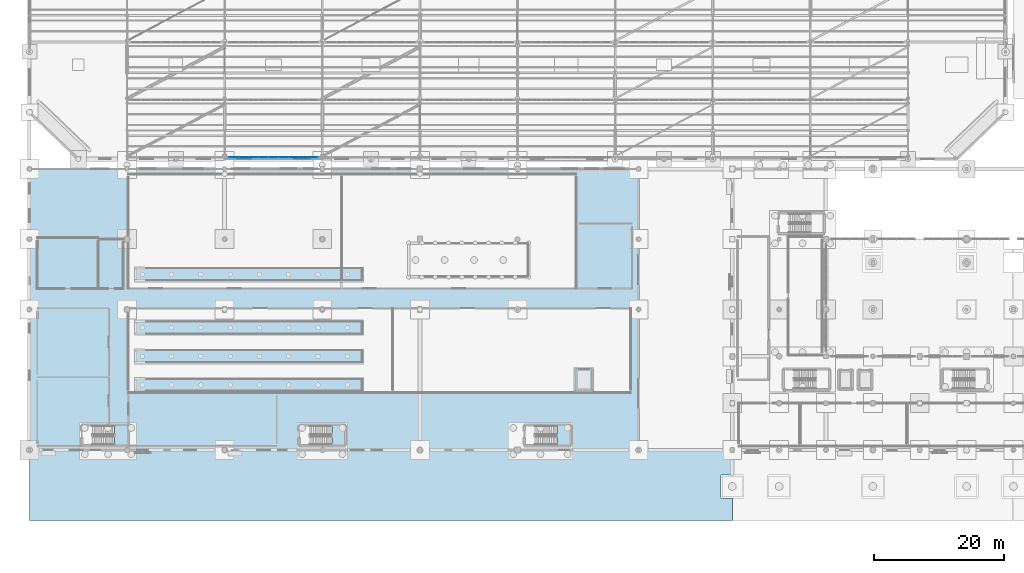
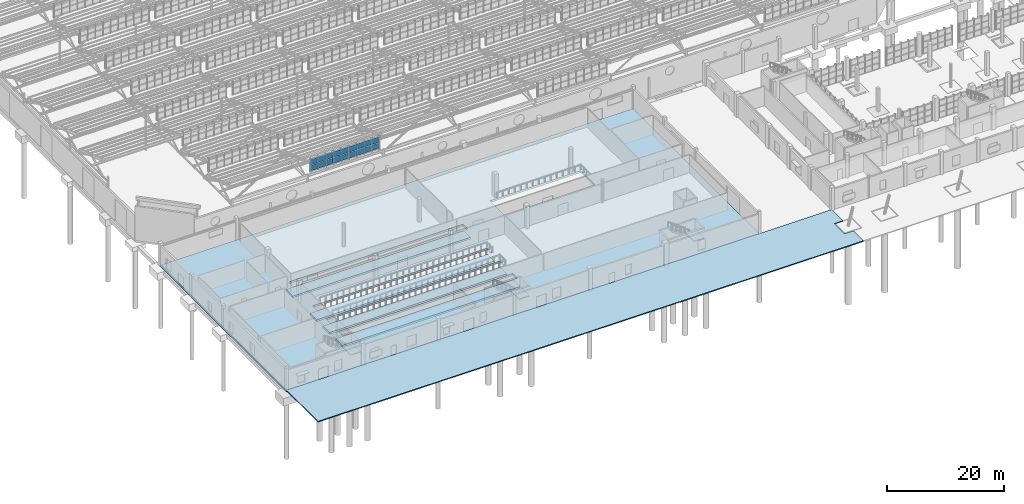
# One storey, part 162 of 285: 18 plates, 9 slabs, 4 elements without a shape of their own.
"""IFC4 building model written with IfcOpenShell, lengths in metres."""

from ifc_helpers import new_model, si_unit, direction, frame, origin, origin_2d, place, context, subcontext, project, spatial, polyline, rectangle, outline, extrude, material, layer, layer_set, type_object, element, aggregate, save


model = new_model("IFC4")

# Units and contexts
model_context = context("Model", 3, precision=1e-05, world=origin(), true_north=direction((0.0, 1.0)))
body_context = subcontext(model_context, "Body", "Model", "MODEL_VIEW")
ifc_project = project(units=[si_unit("LENGTHUNIT", "METRE"), si_unit("AREAUNIT", "SQUARE_METRE"), si_unit("VOLUMEUNIT", "CUBIC_METRE"), si_unit("PLANEANGLEUNIT", "RADIAN"), si_unit("MASSUNIT", "GRAM", prefix="KILO")], contexts=[model_context])

# Site, building, storey
site_placement = place(None, origin())
site = spatial("IfcSite", under=ifc_project, at=site_placement, CompositionType="ELEMENT")
building_placement = place(site_placement, origin())
building = spatial("IfcBuilding", under=site, at=building_placement, Name="Solanera Park Tramway Depot", CompositionType="ELEMENT")
storey_placement = place(building_placement, origin())
storey = spatial("IfcBuildingStorey", under=building, at=storey_placement, Name="L00", CompositionType="ELEMENT", Elevation=0.0)

# Curtain wall, plates
ifc_material_1 = material(Name="Bronze-anodised thermally broken aluminium curtain wall", Category="aluminium")
curtain_wall_type = type_object("IfcCurtainWallType", Name="Sawtooth Clerestory Monitor Curtain Wall", PredefinedType="NOTDEFINED", material=ifc_material_1)
curtain_wall_placement = place(storey_placement, origin())
curtain_wall = element("IfcCurtainWall", 1, at=curtain_wall_placement, inside=storey, type_object=curtain_wall_type, Name="L00 Sawtooth Clerestory Monitor Curtain Wall #001", PredefinedType="NOTDEFINED")
ifc_material_2 = material(Name="Low-E laminated solar-control double glazing", Category="glass")
ifc_layer_1 = layer(ifc_material_2, 0.028076171875)
ifc_layer_set_1 = layer_set([ifc_layer_1], Name="Low-E laminated solar-control double glazing")
plate_type = type_object("IfcPlateType", Name="Curtain Wall Double Glazing Panel 28", PredefinedType="CURTAIN_PANEL", material=ifc_layer_set_1)
plate_1_placement = place(storey_placement, frame((31.427490234375, 55.75, 7.862060546875), z_axis=(0.0, 0.0, 1.0), x_axis=(1.0, 0.0, 0.0)))
plate_1 = element("IfcPlate", 2, at=plate_1_placement, type_object=plate_type, Name="CW-L00-001 Glazing Panel R1.C1", PredefinedType="CURTAIN_PANEL", context=body_context, shape_type="SweptSolid", body=[
    extrude(rectangle(XDim=1.437744140625, YDim=0.028076171875, at=origin_2d()), origin(), (0.0, 0.0, 1.0), 1.16650390625),
])
plate_2_placement = place(storey_placement, frame((32.933349609375, 55.75, 7.862060546875), z_axis=(0.0, 0.0, 1.0), x_axis=(1.0, 0.0, 0.0)))
plate_2 = element("IfcPlate", 3, at=plate_2_placement, type_object=plate_type, Name="CW-L00-001 Glazing Panel R1.C2", PredefinedType="CURTAIN_PANEL", context=body_context, shape_type="SweptSolid", body=[
    extrude(rectangle(XDim=1.47021484375, YDim=0.028076171875, at=origin_2d()), origin(), (0.0, 0.0, 1.0), 1.16650390625),
])
plate_3_placement = place(storey_placement, frame((34.45556640625, 55.75, 7.862060546875), z_axis=(0.0, 0.0, 1.0), x_axis=(1.0, 0.0, 0.0)))
plate_3 = element("IfcPlate", 4, at=plate_3_placement, type_object=plate_type, Name="CW-L00-001 Glazing Panel R1.C3", PredefinedType="CURTAIN_PANEL", context=body_context, shape_type="SweptSolid", body=[
    extrude(rectangle(XDim=1.47021484375, YDim=0.028076171875, at=origin_2d()), origin(), (0.0, 0.0, 1.0), 1.16650390625),
])
plate_4_placement = place(storey_placement, frame((35.977783203125, 55.75, 7.862060546875), z_axis=(0.0, 0.0, 1.0), x_axis=(1.0, 0.0, 0.0)))
plate_4 = element("IfcPlate", 5, at=plate_4_placement, type_object=plate_type, Name="CW-L00-001 Glazing Panel R1.C4", PredefinedType="CURTAIN_PANEL", context=body_context, shape_type="SweptSolid", body=[
    extrude(rectangle(XDim=1.47021484375, YDim=0.028076171875, at=origin_2d()), origin(), (0.0, 0.0, 1.0), 1.16650390625),
])
plate_5_placement = place(storey_placement, frame((37.5, 55.75, 7.862060546875), z_axis=(0.0, 0.0, 1.0), x_axis=(1.0, 0.0, 0.0)))
plate_5 = element("IfcPlate", 6, at=plate_5_placement, type_object=plate_type, Name="CW-L00-001 Glazing Panel R1.C5", PredefinedType="CURTAIN_PANEL", context=body_context, shape_type="SweptSolid", body=[
    extrude(rectangle(XDim=1.47021484375, YDim=0.028076171875, at=origin_2d()), origin(), (0.0, 0.0, 1.0), 1.16650390625),
])
plate_6_placement = place(storey_placement, frame((39.022216796875, 55.75, 7.862060546875), z_axis=(0.0, 0.0, 1.0), x_axis=(1.0, 0.0, 0.0)))
plate_6 = element("IfcPlate", 7, at=plate_6_placement, type_object=plate_type, Name="CW-L00-001 Glazing Panel R1.C6", PredefinedType="CURTAIN_PANEL", context=body_context, shape_type="SweptSolid", body=[
    extrude(rectangle(XDim=1.47021484375, YDim=0.028076171875, at=origin_2d()), origin(), (0.0, 0.0, 1.0), 1.16650390625),
])
plate_7_placement = place(storey_placement, frame((40.54443359375, 55.75, 7.862060546875), z_axis=(0.0, 0.0, 1.0), x_axis=(1.0, 0.0, 0.0)))
plate_7 = element("IfcPlate", 8, at=plate_7_placement, type_object=plate_type, Name="CW-L00-001 Glazing Panel R1.C7", PredefinedType="CURTAIN_PANEL", context=body_context, shape_type="SweptSolid", body=[
    extrude(rectangle(XDim=1.47021484375, YDim=0.028076171875, at=origin_2d()), origin(), (0.0, 0.0, 1.0), 1.16650390625),
])
plate_8_placement = place(storey_placement, frame((42.066650390625, 55.75, 7.862060546875), z_axis=(0.0, 0.0, 1.0), x_axis=(1.0, 0.0, 0.0)))
plate_8 = element("IfcPlate", 9, at=plate_8_placement, type_object=plate_type, Name="CW-L00-001 Glazing Panel R1.C8", PredefinedType="CURTAIN_PANEL", context=body_context, shape_type="SweptSolid", body=[
    extrude(rectangle(XDim=1.47021484375, YDim=0.028076171875, at=origin_2d()), origin(), (0.0, 0.0, 1.0), 1.16650390625),
])
plate_9_placement = place(storey_placement, frame((43.572509765625, 55.75, 7.862060546875), z_axis=(0.0, 0.0, 1.0), x_axis=(1.0, 0.0, 0.0)))
plate_9 = element("IfcPlate", 10, at=plate_9_placement, type_object=plate_type, Name="CW-L00-001 Glazing Panel R1.C9", PredefinedType="CURTAIN_PANEL", context=body_context, shape_type="SweptSolid", body=[
    extrude(rectangle(XDim=1.437744140625, YDim=0.028076171875, at=origin_2d()), origin(), (0.0, 0.0, 1.0), 1.16650390625),
])
plate_10_placement = place(storey_placement, frame((31.427490234375, 55.75, 9.132568359375), z_axis=(0.0, 0.0, 1.0), x_axis=(1.0, 0.0, 0.0)))
plate_10 = element("IfcPlate", 11, at=plate_10_placement, type_object=plate_type, Name="CW-L00-001 Glazing Panel R2.C1", PredefinedType="CURTAIN_PANEL", context=body_context, shape_type="SweptSolid", body=[
    extrude(rectangle(XDim=1.437744140625, YDim=0.028076171875, at=origin_2d()), origin(), (0.0, 0.0, 1.0), 1.16650390625),
])
plate_11_placement = place(storey_placement, frame((32.933349609375, 55.75, 9.132568359375), z_axis=(0.0, 0.0, 1.0), x_axis=(1.0, 0.0, 0.0)))
plate_11 = element("IfcPlate", 12, at=plate_11_placement, type_object=plate_type, Name="CW-L00-001 Glazing Panel R2.C2", PredefinedType="CURTAIN_PANEL", context=body_context, shape_type="SweptSolid", body=[
    extrude(rectangle(XDim=1.47021484375, YDim=0.028076171875, at=origin_2d()), origin(), (0.0, 0.0, 1.0), 1.16650390625),
])
plate_12_placement = place(storey_placement, frame((34.45556640625, 55.75, 9.132568359375), z_axis=(0.0, 0.0, 1.0), x_axis=(1.0, 0.0, 0.0)))
plate_12 = element("IfcPlate", 13, at=plate_12_placement, type_object=plate_type, Name="CW-L00-001 Glazing Panel R2.C3", PredefinedType="CURTAIN_PANEL", context=body_context, shape_type="SweptSolid", body=[
    extrude(rectangle(XDim=1.47021484375, YDim=0.028076171875, at=origin_2d()), origin(), (0.0, 0.0, 1.0), 1.16650390625),
])
plate_13_placement = place(storey_placement, frame((35.977783203125, 55.75, 9.132568359375), z_axis=(0.0, 0.0, 1.0), x_axis=(1.0, 0.0, 0.0)))
plate_13 = element("IfcPlate", 14, at=plate_13_placement, type_object=plate_type, Name="CW-L00-001 Glazing Panel R2.C4", PredefinedType="CURTAIN_PANEL", context=body_context, shape_type="SweptSolid", body=[
    extrude(rectangle(XDim=1.47021484375, YDim=0.028076171875, at=origin_2d()), origin(), (0.0, 0.0, 1.0), 1.16650390625),
])
plate_14_placement = place(storey_placement, frame((37.5, 55.75, 9.132568359375), z_axis=(0.0, 0.0, 1.0), x_axis=(1.0, 0.0, 0.0)))
plate_14 = element("IfcPlate", 15, at=plate_14_placement, type_object=plate_type, Name="CW-L00-001 Glazing Panel R2.C5", PredefinedType="CURTAIN_PANEL", context=body_context, shape_type="SweptSolid", body=[
    extrude(rectangle(XDim=1.47021484375, YDim=0.028076171875, at=origin_2d()), origin(), (0.0, 0.0, 1.0), 1.16650390625),
])
plate_15_placement = place(storey_placement, frame((39.022216796875, 55.75, 9.132568359375), z_axis=(0.0, 0.0, 1.0), x_axis=(1.0, 0.0, 0.0)))
plate_15 = element("IfcPlate", 16, at=plate_15_placement, type_object=plate_type, Name="CW-L00-001 Glazing Panel R2.C6", PredefinedType="CURTAIN_PANEL", context=body_context, shape_type="SweptSolid", body=[
    extrude(rectangle(XDim=1.47021484375, YDim=0.028076171875, at=origin_2d()), origin(), (0.0, 0.0, 1.0), 1.16650390625),
])
plate_16_placement = place(storey_placement, frame((40.54443359375, 55.75, 9.132568359375), z_axis=(0.0, 0.0, 1.0), x_axis=(1.0, 0.0, 0.0)))
plate_16 = element("IfcPlate", 17, at=plate_16_placement, type_object=plate_type, Name="CW-L00-001 Glazing Panel R2.C7", PredefinedType="CURTAIN_PANEL", context=body_context, shape_type="SweptSolid", body=[
    extrude(rectangle(XDim=1.47021484375, YDim=0.028076171875, at=origin_2d()), origin(), (0.0, 0.0, 1.0), 1.16650390625),
])
plate_17_placement = place(storey_placement, frame((42.066650390625, 55.75, 9.132568359375), z_axis=(0.0, 0.0, 1.0), x_axis=(1.0, 0.0, 0.0)))
plate_17 = element("IfcPlate", 18, at=plate_17_placement, type_object=plate_type, Name="CW-L00-001 Glazing Panel R2.C8", PredefinedType="CURTAIN_PANEL", context=body_context, shape_type="SweptSolid", body=[
    extrude(rectangle(XDim=1.47021484375, YDim=0.028076171875, at=origin_2d()), origin(), (0.0, 0.0, 1.0), 1.16650390625),
])
plate_18_placement = place(storey_placement, frame((43.572509765625, 55.75, 9.132568359375), z_axis=(0.0, 0.0, 1.0), x_axis=(1.0, 0.0, 0.0)))
plate_18 = element("IfcPlate", 19, at=plate_18_placement, type_object=plate_type, Name="CW-L00-001 Glazing Panel R2.C9", PredefinedType="CURTAIN_PANEL", context=body_context, shape_type="SweptSolid", body=[
    extrude(rectangle(XDim=1.437744140625, YDim=0.028076171875, at=origin_2d()), origin(), (0.0, 0.0, 1.0), 1.16650390625),
])
aggregate(curtain_wall, [plate_1, plate_2, plate_3, plate_4, plate_5, plate_6, plate_7, plate_8, plate_9, plate_10, plate_11, plate_12, plate_13, plate_14, plate_15, plate_16, plate_17, plate_18])

# Slabs
ifc_material_3 = material(Name="Concrete N40 (C40/50)", Category="concrete")
ifc_layer_2 = layer(ifc_material_3, 0.39990234375)
ifc_layer_set_2 = layer_set([ifc_layer_2], Name="Concrete N40 (C40/50)")
slab_type_1 = type_object("IfcSlabType", Name="Slab Base 400", PredefinedType="BASESLAB", material=ifc_layer_set_2)
slab_1_placement = place(storey_placement, frame((0.0, 0.0, -2.050048828125)))
element("IfcSlab", 20, at=slab_1_placement, inside=storey, type_object=slab_type_1, Name="Sunken Pit Base Slab PIT-01", PredefinedType="BASESLAB", context=body_context, shape_type="SweptSolid", body=[
    extrude(outline(polyline([(51.35009765625, 19.64990234375), (51.35009765625, 21.949951171875), (16.14990234375, 21.949951171875), (16.14990234375, 19.64990234375), (51.35009765625, 19.64990234375)])), origin(), (0.0, 0.0, 1.0), 0.400146484375),
])
slab_2_placement = place(storey_placement, frame((0.0, 0.0, -2.050048828125)))
element("IfcSlab", 21, at=slab_2_placement, inside=storey, type_object=slab_type_1, Name="Sunken Pit Base Slab PIT-02", PredefinedType="BASESLAB", context=body_context, shape_type="SweptSolid", body=[
    extrude(outline(polyline([(51.35009765625, 24.050048828125), (51.35009765625, 26.35009765625), (16.14990234375, 26.35009765625), (16.14990234375, 24.050048828125), (51.35009765625, 24.050048828125)])), origin(), (0.0, 0.0, 1.0), 0.400146484375),
])
slab_3_placement = place(storey_placement, frame((0.0, 0.0, -2.050048828125)))
element("IfcSlab", 22, at=slab_3_placement, inside=storey, type_object=slab_type_1, Name="Sunken Pit Base Slab PIT-03", PredefinedType="BASESLAB", context=body_context, shape_type="SweptSolid", body=[
    extrude(outline(polyline([(51.35009765625, 28.449951171875), (51.35009765625, 30.75), (16.14990234375, 30.75), (16.14990234375, 28.449951171875), (51.35009765625, 28.449951171875)])), origin(), (0.0, 0.0, 1.0), 0.400146484375),
])
slab_4_placement = place(storey_placement, frame((0.0, 0.0, -2.050048828125)))
element("IfcSlab", 23, at=slab_4_placement, inside=storey, type_object=slab_type_1, Name="Sunken Pit Base Slab PIT-04", PredefinedType="BASESLAB", context=body_context, shape_type="SweptSolid", body=[
    extrude(outline(polyline([(51.35009765625, 36.64990234375), (51.35009765625, 38.949951171875), (16.14990234375, 38.949951171875), (16.14990234375, 36.64990234375), (51.35009765625, 36.64990234375)])), origin(), (0.0, 0.0, 1.0), 0.400146484375),
])
ifc_material_4 = material(Name="Concrete N40 (C40/50)", Category="concrete")
ifc_layer_3 = layer(ifc_material_4, 0.425048828125)
ifc_layer_set_3 = layer_set([ifc_layer_3], Name="Concrete N40 (C40/50)")
slab_type_2 = type_object("IfcSlabType", Name="Slab Base 425", PredefinedType="BASESLAB", material=ifc_layer_set_3)
slab_5_placement = place(storey_placement, frame((0.0, 0.0, -0.425048828125)))
element("IfcSlab", 24, at=slab_5_placement, inside=storey, type_object=slab_type_2, Name="L00 Structural Slab SL-L00-V2", PredefinedType="BASESLAB", context=body_context, shape_type="SweptSolid", body=[
    extrude(outline(polyline([(0.0, 10.800048828125), (0.0, 54.0), (93.60009765625, 54.0), (93.60009765625, 10.800048828125), (0.0, 10.800048828125)]), holes=[polyline([(51.0, 21.60009765625), (16.5, 21.60009765625), (16.5, 20.0), (51.0, 20.0), (51.0, 21.60009765625)]), polyline([(51.0, 24.39990234375), (51.0, 26.0), (16.5, 26.0), (16.5, 24.39990234375), (51.0, 24.39990234375)]), polyline([(16.5, 28.800048828125), (51.0, 28.800048828125), (51.0, 30.39990234375), (16.5, 30.39990234375), (16.5, 28.800048828125)]), polyline([(16.5, 38.60009765625), (16.5, 37.0), (51.0, 37.0), (51.0, 38.60009765625), (16.5, 38.60009765625)]), polyline([(76.5, 42.39990234375), (58.5, 42.39990234375), (58.5, 37.60009765625), (76.5, 37.60009765625), (76.5, 42.39990234375)])]), origin(), (0.0, 0.0, 1.0), 0.425048828125),
])
ifc_material_5 = material(Name="Concrete N40 (C40/50)", Category="concrete")
ifc_layer_4 = layer(ifc_material_5, 0.199951171875)
ifc_layer_set_4 = layer_set([ifc_layer_4], Name="Concrete N40 (C40/50)")
slab_type_3 = type_object("IfcSlabType", Name="Slab Ext 200", PredefinedType="FLOOR", material=ifc_layer_set_4)
slab_6_placement = place(storey_placement, frame((0.0, 0.0, -0.199951171875)))
element("IfcSlab", 25, at=slab_6_placement, inside=storey, type_object=slab_type_3, Name="South-West Workshop Forecourt Apron", PredefinedType="FLOOR", context=body_context, shape_type="SweptSolid", body=[
    extrude(outline(polyline([(108.0, 0.0), (0.0, 0.0), (0.0, 10.800048828125), (108.0, 10.800048828125), (108.0, 6.957275390625), (106.25, 6.957275390625), (106.25, 3.457275390625), (108.0, 3.457275390625), (108.0, 0.0)])), origin(), (0.0, 0.0, 1.0), 0.199951171875),
])

# Stair, slab
ifc_material_6 = material(Name="Concrete N40 (C40/50)", Category="concrete")
stair_type = type_object("IfcStairType", Name="Stair Half-Turn Dogleg 4800", PredefinedType="HALF_TURN_STAIR", material=ifc_material_6)
stair_1_placement = place(storey_placement, origin())
stair_1 = element("IfcStair", 26, at=stair_1_placement, inside=storey, type_object=stair_type, Name="ST-08 L00 Half-Turn Stair", PredefinedType="HALF_TURN_STAIR")
ifc_material_7 = material(Name="Concrete N40 (C40/50)", Category="concrete")
ifc_layer_5 = layer(ifc_material_7, 0.199951171875)
ifc_layer_set_5 = layer_set([ifc_layer_5], Name="Concrete N40 (C40/50)")
slab_type_4 = type_object("IfcSlabType", Name="Slab Stair Landing 200", PredefinedType="LANDING", material=ifc_layer_set_5)
slab_7_placement = place(storey_placement, frame((0.0, 0.0, 2.199951171875)))
slab_7 = element("IfcSlab", 27, at=slab_7_placement, type_object=slab_type_4, Name="ST-08 L00 Half-Landing 1", PredefinedType="LANDING", context=body_context, shape_type="SweptSolid", body=[
    extrude(outline(polyline([(13.06005859375, 11.47998046875), (15.1201171875, 11.47998046875), (15.1201171875, 14.6201171875), (13.06005859375, 14.6201171875), (13.06005859375, 11.47998046875)])), origin(), (0.0, 0.0, 1.0), 0.199951171875),
])
aggregate(stair_1, [slab_7])

stair_2_placement = place(storey_placement, origin())
stair_2 = element("IfcStair", 28, at=stair_2_placement, inside=storey, type_object=stair_type, Name="ST-09 L00 Half-Turn Stair", PredefinedType="HALF_TURN_STAIR")
slab_8_placement = place(storey_placement, frame((0.0, 0.0, 2.199951171875)))
slab_8 = element("IfcSlab", 29, at=slab_8_placement, type_object=slab_type_4, Name="ST-09 L00 Half-Landing 1", PredefinedType="LANDING", context=body_context, shape_type="SweptSolid", body=[
    extrude(outline(polyline([(81.06005859375, 11.47998046875), (83.1201171875, 11.47998046875), (83.1201171875, 14.6201171875), (81.06005859375, 14.6201171875), (81.06005859375, 11.47998046875)])), origin(), (0.0, 0.0, 1.0), 0.199951171875),
])
aggregate(stair_2, [slab_8])

stair_3_placement = place(storey_placement, origin())
stair_3 = element("IfcStair", 30, at=stair_3_placement, inside=storey, type_object=stair_type, Name="ST-12 L00 Half-Turn Stair", PredefinedType="HALF_TURN_STAIR")
slab_9_placement = place(storey_placement, frame((0.0, 0.0, 2.199951171875)))
slab_9 = element("IfcSlab", 31, at=slab_9_placement, type_object=slab_type_4, Name="ST-12 L00 Half-Landing 1", PredefinedType="LANDING", context=body_context, shape_type="SweptSolid", body=[
    extrude(outline(polyline([(46.4599609375, 11.47998046875), (48.52001953125, 11.47998046875), (48.52001953125, 14.6201171875), (46.4599609375, 14.6201171875), (46.4599609375, 11.47998046875)])), origin(), (0.0, 0.0, 1.0), 0.199951171875),
])
aggregate(stair_3, [slab_9])

save(model, "model.ifc")
